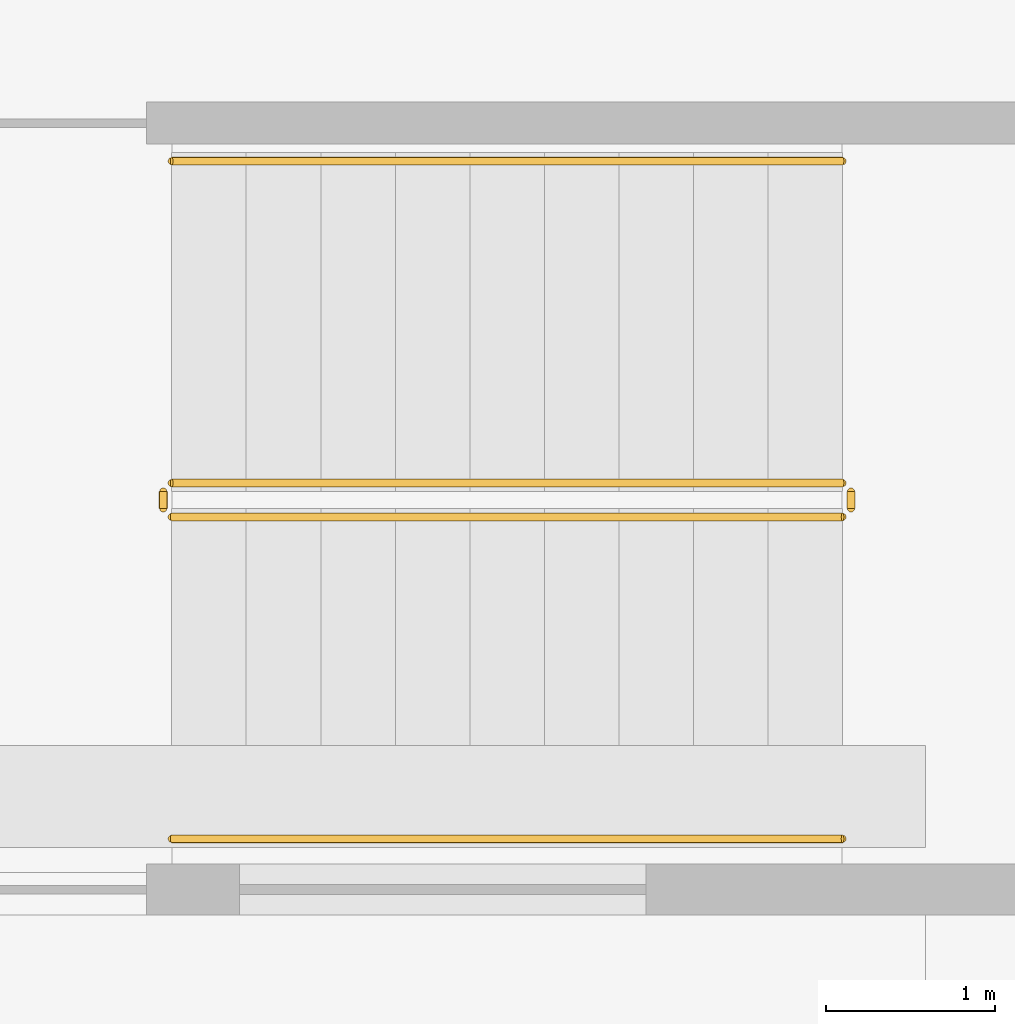
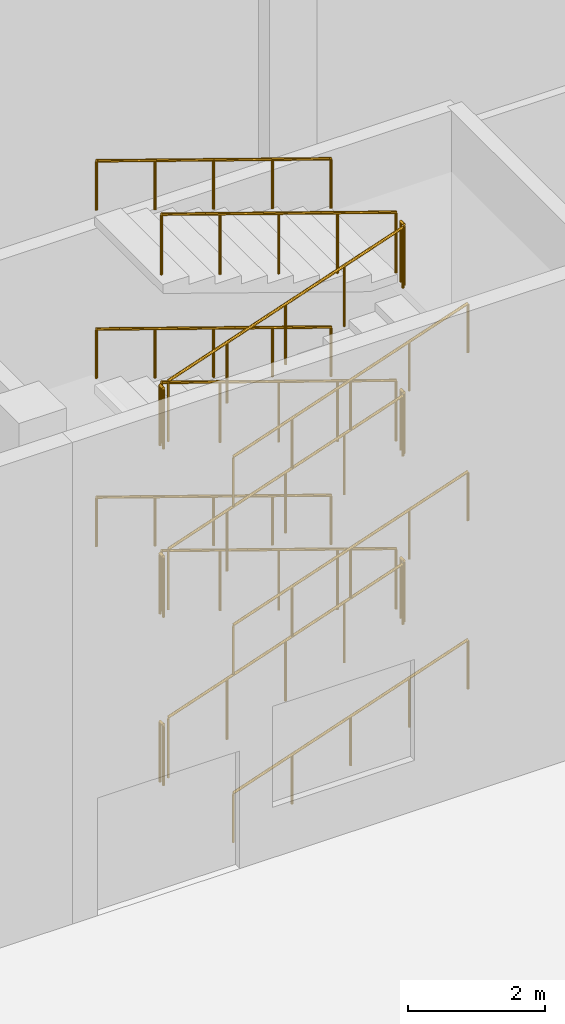
# One storey, part 53 of 63: 18 railings.
"""IFC4 building model written with IfcOpenShell, lengths in metres."""

import ifcopenshell
import ifcopenshell.guid

model = None  # the IFC model being written
_history = None  # IfcOwnerHistory: only IFC2X3 demands one
_inside = {}  # id of a spatial element -> (the spatial element, [elements in it])
_under = {}  # id of a project, library or spatial element -> (it, [spatial elements below it])
_declared = {}  # id of a project -> (the project, [libraries it declares])
_typed = {}  # id of a type object -> (the type object, [elements of that type])
_made_of = {}  # id of a material, layer set ... -> (it, [elements and type objects made of it])


def new_model(schema):
    """Start an empty IFC model of exactly this schema.

    Asked for "IFC4X3", IfcOpenShell would pick the latest addendum, in which some entities
    have other attributes; the version numbers below select the first issue.
    IFC2X3 requires an IfcOwnerHistory on every rooted entity: one is made here for all.
    """
    global model, _history
    if schema == "IFC4X3":
        model = ifcopenshell.file(schema_version=(4, 3, 0, 0))
    else:
        model = ifcopenshell.file(schema=schema)
    _inside.clear()
    _under.clear()
    _declared.clear()
    _typed.clear()
    _made_of.clear()
    _history = None
    if model.schema == "IFC2X3":
        org = make("IfcOrganization", Name="unknown")
        user = make(
            "IfcPersonAndOrganization",
            ThePerson=make("IfcPerson", FamilyName="unknown"),
            TheOrganization=org,
        )
        app = make(
            "IfcApplication",
            ApplicationDeveloper=org,
            Version="unknown",
            ApplicationFullName="unknown",
            ApplicationIdentifier="unknown",
        )
        _history = make(
            "IfcOwnerHistory",
            OwningUser=user,
            OwningApplication=app,
            ChangeAction="ADDED",
            CreationDate=0,
        )
    return model


def make(cls, **values):
    """One entity of the class cls with the attributes given. An attribute that is None is left unset."""
    return model.create_entity(
        cls, **{name: value for name, value in values.items() if value is not None}
    )


def rooted(cls, **values):
    """An entity with a GlobalId (a new one), such as an element, a storey or a relation."""
    return make(cls, GlobalId=ifcopenshell.guid.new(), OwnerHistory=_history, **values)


def si_unit(unit_type, name, prefix=None):
    """IfcSIUnit, for example si_unit("LENGTHUNIT", "METRE", prefix="MILLI")."""
    return make("IfcSIUnit", UnitType=unit_type, Prefix=prefix, Name=name)


def assignment(units):
    """IfcUnitAssignment: the units of a project."""
    return None if units is None else make("IfcUnitAssignment", Units=units)


def point(xyz):
    """IfcCartesianPoint."""
    return None if xyz is None else make("IfcCartesianPoint", Coordinates=xyz)


def direction(xyz):
    """IfcDirection."""
    return None if xyz is None else make("IfcDirection", DirectionRatios=xyz)


def frame(location, z_axis=None, x_axis=None):
    """IfcAxis2Placement3D, a coordinate frame: its origin and axes. An axis left out is left unset."""
    return make(
        "IfcAxis2Placement3D",
        Location=point(location),
        Axis=direction(z_axis),
        RefDirection=direction(x_axis),
    )


def frame_2d(location, x_axis=None):
    """IfcAxis2Placement2D, a coordinate frame in the plane: its origin and x axis."""
    return make(
        "IfcAxis2Placement2D", Location=point(location), RefDirection=direction(x_axis)
    )


def origin():
    """The frame at (0, 0, 0) with its axes left unset."""
    return frame((0.0, 0.0, 0.0))


def origin_2d():
    """The frame at (0, 0) in the plane with its x axis left unset."""
    return frame_2d((0.0, 0.0))


def place(relative_to, where):
    """IfcLocalPlacement: puts the frame where relative to a parent placement (None: the world)."""
    return make(
        "IfcLocalPlacement", PlacementRelTo=relative_to, RelativePlacement=where
    )


def context(
    kind, dimensions, precision=None, world=None, true_north=None, identifier=None
):
    """IfcGeometricRepresentationContext, for example the 3D "Model" context."""
    return make(
        "IfcGeometricRepresentationContext",
        ContextIdentifier=identifier,
        ContextType=kind,
        CoordinateSpaceDimension=dimensions,
        Precision=precision,
        WorldCoordinateSystem=world,
        TrueNorth=true_north,
    )


def subcontext(parent, identifier, kind, view, scale=None):
    """IfcGeometricRepresentationSubContext, for example "Body" below "Model"."""
    return make(
        "IfcGeometricRepresentationSubContext",
        ContextIdentifier=identifier,
        ContextType=kind,
        ParentContext=parent,
        TargetScale=scale,
        TargetView=view,
    )


def project(units=None, contexts=None):
    """IfcProject with its units and contexts."""
    return rooted(
        "IfcProject",
        Name="project",
        RepresentationContexts=contexts,
        UnitsInContext=assignment(units),
    )


def spatial(cls, under=None, at=None, **own):
    """A site, building, storey or space (cls), placed at a placement, below another one or the project."""
    s = rooted(cls, ObjectPlacement=at, **own)
    if under is not None:
        _under.setdefault(under.id(), (under, []))[1].append(s)
    return s


def profile(cls, at=None, kind="AREA", **sizes):
    """A parametric profile (cls). Its sizes go by their IFC names, for example OverallWidth=200.0."""
    return make(cls, ProfileType=kind, Position=at, **sizes)


def circle(**sizes):
    """IfcCircleProfileDef."""
    return profile("IfcCircleProfileDef", **sizes)


def extrude(swept, where, along, depth):
    """IfcExtrudedAreaSolid: the profile swept, set in the frame where, extruded along a direction by depth."""
    return make(
        "IfcExtrudedAreaSolid",
        SweptArea=swept,
        Position=where,
        ExtrudedDirection=direction(along),
        Depth=depth,
    )


def shape(context_of_items, identifier, shape_type, items):
    """IfcShapeRepresentation: the items that make up one representation, for example the "Body"."""
    return make(
        "IfcShapeRepresentation",
        ContextOfItems=context_of_items,
        RepresentationIdentifier=identifier,
        RepresentationType=shape_type,
        Items=items,
    )


def material(Name=None, Category=None):
    """IfcMaterial."""
    return make("IfcMaterial", Name=Name, Category=Category)


def made_of(thing, what):
    """Note that an element or type object is made of a material, layer set ...; save() writes the relation."""
    if what is not None:
        _made_of.setdefault(what.id(), (what, []))[1].append(thing)
    return thing


def type_object(cls, material=None, **own):
    """A type object (cls), such as IfcWallType, which elements share."""
    return made_of(rooted(cls, **own), material)


def element(
    cls,
    number,
    at=None,
    inside=None,
    cuts=None,
    type_object=None,
    material=None,
    context=None,
    identifier="Body",
    shape_type=None,
    held_by="IfcProductDefinitionShape",
    body=None,
    shapes=None,
    **own,
):
    """One element of the class cls, such as IfcWall. Its Tag is "e" and its number.

    at: its placement. inside: the storey or other place that contains it. cuts: it is an
    opening in that element (IfcRelVoidsElement). A single representation is given by context,
    identifier, shape_type and body (its items); several are given by shapes. held_by: the class
    of the entity that holds the representations. save() writes the other relations.
    """
    e = rooted(cls, Tag="e%d" % number, ObjectPlacement=at, **own)
    if body is not None:
        shapes = [shape(context, identifier, shape_type, body)]
    if shapes is not None:
        e.Representation = make(held_by, Representations=shapes)
    if inside is not None:
        _inside.setdefault(inside.id(), (inside, []))[1].append(e)
    if cuts is not None:
        rooted(
            "IfcRelVoidsElement", RelatingBuildingElement=cuts, RelatedOpeningElement=e
        )
    if type_object is not None:
        _typed.setdefault(type_object.id(), (type_object, []))[1].append(e)
    return made_of(e, material)


def aggregate(whole, parts):
    """IfcRelAggregates: a whole, such as a stair, and the parts it consists of."""
    return rooted("IfcRelAggregates", RelatingObject=whole, RelatedObjects=parts)


def save(model, path):
    """Write the relations noted so far, then the file.

    IfcRelAggregates (storeys below a building ...), IfcRelContainedInSpatialStructure (elements
    in a storey), IfcRelDefinesByType, IfcRelAssociatesMaterial and IfcRelDeclares: one each for
    every whole, place, type object, material and project.
    """
    for whole, parts in _under.values():
        aggregate(whole, parts)
    for where, things in _inside.values():
        rooted(
            "IfcRelContainedInSpatialStructure",
            RelatedElements=things,
            RelatingStructure=where,
        )
    for kind, things in _typed.values():
        rooted("IfcRelDefinesByType", RelatedObjects=things, RelatingType=kind)
    for what, things in _made_of.values():
        rooted("IfcRelAssociatesMaterial", RelatedObjects=things, RelatingMaterial=what)
    for by, libraries in _declared.values():
        rooted("IfcRelDeclares", RelatingContext=by, RelatedDefinitions=libraries)
    model.write(path)


model = new_model("IFC4")

# Units and contexts
model_context = context("Model", 3, precision=1e-05, world=origin(), true_north=direction((0.0, 1.0)))
body_context = subcontext(model_context, "Body", "Model", "MODEL_VIEW")
ifc_project = project(units=[si_unit("LENGTHUNIT", "METRE"), si_unit("AREAUNIT", "SQUARE_METRE"), si_unit("VOLUMEUNIT", "CUBIC_METRE"), si_unit("PLANEANGLEUNIT", "RADIAN"), si_unit("MASSUNIT", "GRAM", prefix="KILO")], contexts=[model_context])

# Site, building, storey
site_placement = place(None, origin())
site = spatial("IfcSite", under=ifc_project, at=site_placement, CompositionType="ELEMENT")
building_placement = place(site_placement, origin())
building = spatial("IfcBuilding", under=site, at=building_placement, Name="Jabali Bay Hotel Tower and Convention Centre", CompositionType="ELEMENT")
storey_placement = place(building_placement, origin())
storey = spatial("IfcBuildingStorey", under=building, at=storey_placement, Name="L00", CompositionType="ELEMENT", Elevation=0.0)

# Railings
ifc_material = material(Name="Stainless steel 304", Category="steel")
railing_type_1 = type_object("IfcRailingType", Name="CC Stair Guard 1100", PredefinedType="GUARDRAIL", material=ifc_material)
railing_1_placement = place(storey_placement, frame((164.0, 51.64990234375, 0.14990234375)))
element("IfcRailing", 1, at=railing_1_placement, inside=storey, type_object=railing_type_1, Name="L00 CC-STS1 stair guard 1", PredefinedType="GUARDRAIL", context=body_context, shape_type="SweptSolid", body=[
    extrude(circle(Radius=0.02392578125, at=origin_2d()), frame((0.0, 0.0, 1.076171875), z_axis=(0.946502086907, 0.0, 0.322697690542), x_axis=(0.0, 1.0, 0.0)), (0.0, 0.0, 1.0), 4.183837890625),
    extrude(circle(Radius=0.02099609375, at=origin_2d()), origin(), (0.0, 0.0, 1.0), 1.052001953125),
    extrude(circle(Radius=0.02099609375, at=origin_2d()), frame((0.989990234375, 0.0, 0.33740234375)), (0.0, 0.0, 1.0), 1.052001953125),
    extrude(circle(Radius=0.02099609375, at=origin_2d()), frame((1.97998046875, 0.0, 0.675048828125)), (0.0, 0.0, 1.0), 1.052001953125),
    extrude(circle(Radius=0.02099609375, at=origin_2d()), frame((2.969970703125, 0.0, 1.0126953125)), (0.0, 0.0, 1.0), 1.052001953125),
    extrude(circle(Radius=0.02099609375, at=origin_2d()), frame((3.9599609375, 0.0, 1.35009765625)), (0.0, 0.0, 1.0), 1.052001953125),
])
railing_2_placement = place(storey_placement, frame((168.010009765625, 51.699951171875, 1.5)))
element("IfcRailing", 2, at=railing_2_placement, inside=storey, type_object=railing_type_1, Name="L00 CC-STS1 stair guard 2", PredefinedType="GUARDRAIL", context=body_context, shape_type="SweptSolid", body=[
    extrude(circle(Radius=0.02392578125, at=origin_2d()), frame((0.0, 0.0, 1.076171875), z_axis=(0.0, 1.0, 0.0), x_axis=(-1.0, 0.0, 0.0)), (0.0, 0.0, 1.0), 0.10009765625),
    extrude(circle(Radius=0.02099609375, at=origin_2d()), origin(), (0.0, 0.0, 1.0), 1.052001953125),
    extrude(circle(Radius=0.02099609375, at=origin_2d()), frame((0.0, 0.10009765625, 0.0)), (0.0, 0.0, 1.0), 1.052001953125),
])
railing_3_placement = place(storey_placement, frame((167.9599609375, 51.85009765625, 1.64990234375)))
element("IfcRailing", 3, at=railing_3_placement, inside=storey, type_object=railing_type_1, Name="L00 CC-STS1 stair guard 3", PredefinedType="GUARDRAIL", context=body_context, shape_type="SweptSolid", body=[
    extrude(circle(Radius=0.02392578125, at=origin_2d()), frame((0.0, 0.0, 1.076171875), z_axis=(-0.946502086907, 0.0, 0.322697690542), x_axis=(0.0, -1.0, 0.0)), (0.0, 0.0, 1.0), 4.183837890625),
    extrude(circle(Radius=0.02099609375, at=origin_2d()), origin(), (0.0, 0.0, 1.0), 1.052001953125),
    extrude(circle(Radius=0.02099609375, at=origin_2d()), frame((-0.989990234375, 0.0, 0.33740234375)), (0.0, 0.0, 1.0), 1.052001953125),
    extrude(circle(Radius=0.02099609375, at=origin_2d()), frame((-1.97998046875, 0.0, 0.675048828125)), (0.0, 0.0, 1.0), 1.052001953125),
    extrude(circle(Radius=0.02099609375, at=origin_2d()), frame((-2.969970703125, 0.0, 1.0126953125)), (0.0, 0.0, 1.0), 1.052001953125),
    extrude(circle(Radius=0.02099609375, at=origin_2d()), frame((-3.9599609375, 0.0, 1.35009765625)), (0.0, 0.0, 1.0), 1.052001953125),
])
railing_4_placement = place(storey_placement, frame((163.949951171875, 51.699951171875, 3.0)))
element("IfcRailing", 4, at=railing_4_placement, inside=storey, type_object=railing_type_1, Name="L00 CC-STS1 stair guard 4", PredefinedType="GUARDRAIL", context=body_context, shape_type="SweptSolid", body=[
    extrude(circle(Radius=0.02392578125, at=origin_2d()), frame((0.0, 0.0, 1.076171875), z_axis=(0.0, 1.0, 0.0), x_axis=(-1.0, 0.0, 0.0)), (0.0, 0.0, 1.0), 0.10009765625),
    extrude(circle(Radius=0.02099609375, at=origin_2d()), origin(), (0.0, 0.0, 1.0), 1.052001953125),
    extrude(circle(Radius=0.02099609375, at=origin_2d()), frame((0.0, 0.10009765625, 0.0)), (0.0, 0.0, 1.0), 1.052001953125),
])
railing_5_placement = place(storey_placement, frame((164.0, 51.64990234375, 3.14990234375)))
element("IfcRailing", 5, at=railing_5_placement, inside=storey, type_object=railing_type_1, Name="L00 CC-STS1 stair guard 5", PredefinedType="GUARDRAIL", context=body_context, shape_type="SweptSolid", body=[
    extrude(circle(Radius=0.02392578125, at=origin_2d()), frame((0.0, 0.0, 1.076171875), z_axis=(0.946502086907, 0.0, 0.322697690542), x_axis=(0.0, 1.0, 0.0)), (0.0, 0.0, 1.0), 4.183837890625),
    extrude(circle(Radius=0.02099609375, at=origin_2d()), origin(), (0.0, 0.0, 1.0), 1.052001953125),
    extrude(circle(Radius=0.02099609375, at=origin_2d()), frame((0.989990234375, 0.0, 0.33740234375)), (0.0, 0.0, 1.0), 1.052001953125),
    extrude(circle(Radius=0.02099609375, at=origin_2d()), frame((1.97998046875, 0.0, 0.675048828125)), (0.0, 0.0, 1.0), 1.052001953125),
    extrude(circle(Radius=0.02099609375, at=origin_2d()), frame((2.969970703125, 0.0, 1.0126953125)), (0.0, 0.0, 1.0), 1.052001953125),
    extrude(circle(Radius=0.02099609375, at=origin_2d()), frame((3.9599609375, 0.0, 1.35009765625)), (0.0, 0.0, 1.0), 1.052001953125),
])
railing_6_placement = place(storey_placement, frame((168.010009765625, 51.699951171875, 4.5)))
element("IfcRailing", 6, at=railing_6_placement, inside=storey, type_object=railing_type_1, Name="L00 CC-STS1 stair guard 6", PredefinedType="GUARDRAIL", context=body_context, shape_type="SweptSolid", body=[
    extrude(circle(Radius=0.02392578125, at=origin_2d()), frame((0.0, 0.0, 1.076171875), z_axis=(0.0, 1.0, 0.0), x_axis=(-1.0, 0.0, 0.0)), (0.0, 0.0, 1.0), 0.10009765625),
    extrude(circle(Radius=0.02099609375, at=origin_2d()), origin(), (0.0, 0.0, 1.0), 1.052001953125),
    extrude(circle(Radius=0.02099609375, at=origin_2d()), frame((0.0, 0.10009765625, 0.0)), (0.0, 0.0, 1.0), 1.052001953125),
])
railing_7_placement = place(storey_placement, frame((167.9599609375, 51.85009765625, 4.64990234375)))
element("IfcRailing", 7, at=railing_7_placement, inside=storey, type_object=railing_type_1, Name="L00 CC-STS1 stair guard 7", PredefinedType="GUARDRAIL", context=body_context, shape_type="SweptSolid", body=[
    extrude(circle(Radius=0.02392578125, at=origin_2d()), frame((0.0, 0.0, 1.076171875), z_axis=(-0.946502086907, 0.0, 0.322697690542), x_axis=(0.0, -1.0, 0.0)), (0.0, 0.0, 1.0), 4.183837890625),
    extrude(circle(Radius=0.02099609375, at=origin_2d()), origin(), (0.0, 0.0, 1.0), 1.052001953125),
    extrude(circle(Radius=0.02099609375, at=origin_2d()), frame((-0.989990234375, 0.0, 0.33740234375)), (0.0, 0.0, 1.0), 1.052001953125),
    extrude(circle(Radius=0.02099609375, at=origin_2d()), frame((-1.97998046875, 0.0, 0.675048828125)), (0.0, 0.0, 1.0), 1.052001953125),
    extrude(circle(Radius=0.02099609375, at=origin_2d()), frame((-2.969970703125, 0.0, 1.0126953125)), (0.0, 0.0, 1.0), 1.052001953125),
    extrude(circle(Radius=0.02099609375, at=origin_2d()), frame((-3.9599609375, 0.0, 1.35009765625)), (0.0, 0.0, 1.0), 1.052001953125),
])
railing_8_placement = place(storey_placement, frame((163.949951171875, 51.699951171875, 6.0)))
element("IfcRailing", 8, at=railing_8_placement, inside=storey, type_object=railing_type_1, Name="L00 CC-STS1 stair guard 8", PredefinedType="GUARDRAIL", context=body_context, shape_type="SweptSolid", body=[
    extrude(circle(Radius=0.02392578125, at=origin_2d()), frame((0.0, 0.0, 1.076171875), z_axis=(0.0, 1.0, 0.0), x_axis=(-1.0, 0.0, 0.0)), (0.0, 0.0, 1.0), 0.10009765625),
    extrude(circle(Radius=0.02099609375, at=origin_2d()), origin(), (0.0, 0.0, 1.0), 1.052001953125),
    extrude(circle(Radius=0.02099609375, at=origin_2d()), frame((0.0, 0.10009765625, 0.0)), (0.0, 0.0, 1.0), 1.052001953125),
])
railing_9_placement = place(storey_placement, frame((164.0, 51.64990234375, 6.14990234375)))
element("IfcRailing", 9, at=railing_9_placement, inside=storey, type_object=railing_type_1, Name="L00 CC-STS1 stair guard 9", PredefinedType="GUARDRAIL", context=body_context, shape_type="SweptSolid", body=[
    extrude(circle(Radius=0.02392578125, at=origin_2d()), frame((0.0, 0.0, 1.076171875), z_axis=(0.946502086907, 0.0, 0.322697690542), x_axis=(0.0, 1.0, 0.0)), (0.0, 0.0, 1.0), 4.183837890625),
    extrude(circle(Radius=0.02099609375, at=origin_2d()), origin(), (0.0, 0.0, 1.0), 1.052001953125),
    extrude(circle(Radius=0.02099609375, at=origin_2d()), frame((0.989990234375, 0.0, 0.33740234375)), (0.0, 0.0, 1.0), 1.052001953125),
    extrude(circle(Radius=0.02099609375, at=origin_2d()), frame((1.97998046875, 0.0, 0.675048828125)), (0.0, 0.0, 1.0), 1.052001953125),
    extrude(circle(Radius=0.02099609375, at=origin_2d()), frame((2.969970703125, 0.0, 1.0126953125)), (0.0, 0.0, 1.0), 1.052001953125),
    extrude(circle(Radius=0.02099609375, at=origin_2d()), frame((3.9599609375, 0.0, 1.35009765625)), (0.0, 0.0, 1.0), 1.052001953125),
])
railing_10_placement = place(storey_placement, frame((168.010009765625, 51.699951171875, 7.5)))
element("IfcRailing", 10, at=railing_10_placement, inside=storey, type_object=railing_type_1, Name="L00 CC-STS1 stair guard 10", PredefinedType="GUARDRAIL", context=body_context, shape_type="SweptSolid", body=[
    extrude(circle(Radius=0.02392578125, at=origin_2d()), frame((0.0, 0.0, 1.076171875), z_axis=(0.0, 1.0, 0.0), x_axis=(-1.0, 0.0, 0.0)), (0.0, 0.0, 1.0), 0.10009765625),
    extrude(circle(Radius=0.02099609375, at=origin_2d()), origin(), (0.0, 0.0, 1.0), 1.052001953125),
    extrude(circle(Radius=0.02099609375, at=origin_2d()), frame((0.0, 0.10009765625, 0.0)), (0.0, 0.0, 1.0), 1.052001953125),
])
railing_11_placement = place(storey_placement, frame((167.9599609375, 51.85009765625, 7.64990234375)))
element("IfcRailing", 11, at=railing_11_placement, inside=storey, type_object=railing_type_1, Name="L00 CC-STS1 stair guard 11", PredefinedType="GUARDRAIL", context=body_context, shape_type="SweptSolid", body=[
    extrude(circle(Radius=0.02392578125, at=origin_2d()), frame((0.0, 0.0, 1.076171875), z_axis=(-0.946502086907, 0.0, 0.322697690542), x_axis=(0.0, -1.0, 0.0)), (0.0, 0.0, 1.0), 4.183837890625),
    extrude(circle(Radius=0.02099609375, at=origin_2d()), origin(), (0.0, 0.0, 1.0), 1.052001953125),
    extrude(circle(Radius=0.02099609375, at=origin_2d()), frame((-0.989990234375, 0.0, 0.33740234375)), (0.0, 0.0, 1.0), 1.052001953125),
    extrude(circle(Radius=0.02099609375, at=origin_2d()), frame((-1.97998046875, 0.0, 0.675048828125)), (0.0, 0.0, 1.0), 1.052001953125),
    extrude(circle(Radius=0.02099609375, at=origin_2d()), frame((-2.969970703125, 0.0, 1.0126953125)), (0.0, 0.0, 1.0), 1.052001953125),
    extrude(circle(Radius=0.02099609375, at=origin_2d()), frame((-3.9599609375, 0.0, 1.35009765625)), (0.0, 0.0, 1.0), 1.052001953125),
])
railing_12_placement = place(storey_placement, frame((163.949951171875, 51.699951171875, 0.0)))
element("IfcRailing", 12, at=railing_12_placement, inside=storey, type_object=railing_type_1, Name="L00 CC-STS1 stair guard 12", PredefinedType="GUARDRAIL", context=body_context, shape_type="SweptSolid", body=[
    extrude(circle(Radius=0.02392578125, at=origin_2d()), frame((0.0, 0.0, 1.076171875), z_axis=(0.0, 1.0, 0.0), x_axis=(-1.0, 0.0, 0.0)), (0.0, 0.0, 1.0), 0.10009765625),
    extrude(circle(Radius=0.02099609375, at=origin_2d()), origin(), (0.0, 0.0, 1.0), 1.052001953125),
    extrude(circle(Radius=0.02099609375, at=origin_2d()), frame((0.0, 0.10009765625, 0.0)), (0.0, 0.0, 1.0), 1.052001953125),
])
railing_type_2 = type_object("IfcRailingType", Name="CC Stair Handrail 900", PredefinedType="HANDRAIL", material=ifc_material)
railing_13_placement = place(storey_placement, frame((164.0, 49.75, 0.14990234375)))
element("IfcRailing", 13, at=railing_13_placement, inside=storey, type_object=railing_type_2, Name="L00 CC-STS1 stair handrail 1", PredefinedType="HANDRAIL", context=body_context, shape_type="SweptSolid", body=[
    extrude(circle(Radius=0.02392578125, at=origin_2d()), frame((0.0, 0.0, 0.8759765625), z_axis=(0.946502086907, 0.0, 0.322697690542), x_axis=(0.0, 1.0, 0.0)), (0.0, 0.0, 1.0), 4.183837890625),
    extrude(circle(Radius=0.02099609375, at=origin_2d()), origin(), (0.0, 0.0, 1.0), 0.851806640625),
    extrude(circle(Radius=0.02099609375, at=origin_2d()), frame((0.989990234375, 0.0, 0.33740234375)), (0.0, 0.0, 1.0), 0.851806640625),
    extrude(circle(Radius=0.02099609375, at=origin_2d()), frame((1.97998046875, 0.0, 0.675048828125)), (0.0, 0.0, 1.0), 0.851806640625),
    extrude(circle(Radius=0.02099609375, at=origin_2d()), frame((2.969970703125, 0.0, 1.0126953125)), (0.0, 0.0, 1.0), 0.851806640625),
    extrude(circle(Radius=0.02099609375, at=origin_2d()), frame((3.9599609375, 0.0, 1.35009765625)), (0.0, 0.0, 1.0), 0.851806640625),
])
railing_14_placement = place(storey_placement, frame((167.9599609375, 53.75, 1.64990234375)))
element("IfcRailing", 14, at=railing_14_placement, inside=storey, type_object=railing_type_2, Name="L00 CC-STS1 stair handrail 2", PredefinedType="HANDRAIL", context=body_context, shape_type="SweptSolid", body=[
    extrude(circle(Radius=0.02392578125, at=origin_2d()), frame((0.0, 0.0, 0.8759765625), z_axis=(-0.946502086907, 0.0, 0.322697690542), x_axis=(0.0, -1.0, 0.0)), (0.0, 0.0, 1.0), 4.183837890625),
    extrude(circle(Radius=0.02099609375, at=origin_2d()), origin(), (0.0, 0.0, 1.0), 0.851806640625),
    extrude(circle(Radius=0.02099609375, at=origin_2d()), frame((-0.989990234375, 0.0, 0.33740234375)), (0.0, 0.0, 1.0), 0.851806640625),
    extrude(circle(Radius=0.02099609375, at=origin_2d()), frame((-1.97998046875, 0.0, 0.675048828125)), (0.0, 0.0, 1.0), 0.851806640625),
    extrude(circle(Radius=0.02099609375, at=origin_2d()), frame((-2.969970703125, 0.0, 1.0126953125)), (0.0, 0.0, 1.0), 0.851806640625),
    extrude(circle(Radius=0.02099609375, at=origin_2d()), frame((-3.9599609375, 0.0, 1.35009765625)), (0.0, 0.0, 1.0), 0.851806640625),
])
railing_15_placement = place(storey_placement, frame((164.0, 49.75, 3.14990234375)))
element("IfcRailing", 15, at=railing_15_placement, inside=storey, type_object=railing_type_2, Name="L00 CC-STS1 stair handrail 3", PredefinedType="HANDRAIL", context=body_context, shape_type="SweptSolid", body=[
    extrude(circle(Radius=0.02392578125, at=origin_2d()), frame((0.0, 0.0, 0.8759765625), z_axis=(0.946502086907, 0.0, 0.322697690542), x_axis=(0.0, 1.0, 0.0)), (0.0, 0.0, 1.0), 4.183837890625),
    extrude(circle(Radius=0.02099609375, at=origin_2d()), origin(), (0.0, 0.0, 1.0), 0.851806640625),
    extrude(circle(Radius=0.02099609375, at=origin_2d()), frame((0.989990234375, 0.0, 0.33740234375)), (0.0, 0.0, 1.0), 0.851806640625),
    extrude(circle(Radius=0.02099609375, at=origin_2d()), frame((1.97998046875, 0.0, 0.675048828125)), (0.0, 0.0, 1.0), 0.851806640625),
    extrude(circle(Radius=0.02099609375, at=origin_2d()), frame((2.969970703125, 0.0, 1.0126953125)), (0.0, 0.0, 1.0), 0.851806640625),
    extrude(circle(Radius=0.02099609375, at=origin_2d()), frame((3.9599609375, 0.0, 1.35009765625)), (0.0, 0.0, 1.0), 0.851806640625),
])
railing_16_placement = place(storey_placement, frame((167.9599609375, 53.75, 4.64990234375)))
element("IfcRailing", 16, at=railing_16_placement, inside=storey, type_object=railing_type_2, Name="L00 CC-STS1 stair handrail 4", PredefinedType="HANDRAIL", context=body_context, shape_type="SweptSolid", body=[
    extrude(circle(Radius=0.02392578125, at=origin_2d()), frame((0.0, 0.0, 0.8759765625), z_axis=(-0.946502086907, 0.0, 0.322697690542), x_axis=(0.0, -1.0, 0.0)), (0.0, 0.0, 1.0), 4.183837890625),
    extrude(circle(Radius=0.02099609375, at=origin_2d()), origin(), (0.0, 0.0, 1.0), 0.851806640625),
    extrude(circle(Radius=0.02099609375, at=origin_2d()), frame((-0.989990234375, 0.0, 0.33740234375)), (0.0, 0.0, 1.0), 0.851806640625),
    extrude(circle(Radius=0.02099609375, at=origin_2d()), frame((-1.97998046875, 0.0, 0.675048828125)), (0.0, 0.0, 1.0), 0.851806640625),
    extrude(circle(Radius=0.02099609375, at=origin_2d()), frame((-2.969970703125, 0.0, 1.0126953125)), (0.0, 0.0, 1.0), 0.851806640625),
    extrude(circle(Radius=0.02099609375, at=origin_2d()), frame((-3.9599609375, 0.0, 1.35009765625)), (0.0, 0.0, 1.0), 0.851806640625),
])
railing_17_placement = place(storey_placement, frame((164.0, 49.75, 6.14990234375)))
element("IfcRailing", 17, at=railing_17_placement, inside=storey, type_object=railing_type_2, Name="L00 CC-STS1 stair handrail 5", PredefinedType="HANDRAIL", context=body_context, shape_type="SweptSolid", body=[
    extrude(circle(Radius=0.02392578125, at=origin_2d()), frame((0.0, 0.0, 0.8759765625), z_axis=(0.946502086907, 0.0, 0.322697690542), x_axis=(0.0, 1.0, 0.0)), (0.0, 0.0, 1.0), 4.183837890625),
    extrude(circle(Radius=0.02099609375, at=origin_2d()), origin(), (0.0, 0.0, 1.0), 0.851806640625),
    extrude(circle(Radius=0.02099609375, at=origin_2d()), frame((0.989990234375, 0.0, 0.33740234375)), (0.0, 0.0, 1.0), 0.851806640625),
    extrude(circle(Radius=0.02099609375, at=origin_2d()), frame((1.97998046875, 0.0, 0.675048828125)), (0.0, 0.0, 1.0), 0.851806640625),
    extrude(circle(Radius=0.02099609375, at=origin_2d()), frame((2.969970703125, 0.0, 1.0126953125)), (0.0, 0.0, 1.0), 0.851806640625),
    extrude(circle(Radius=0.02099609375, at=origin_2d()), frame((3.9599609375, 0.0, 1.35009765625)), (0.0, 0.0, 1.0), 0.851806640625),
])
railing_18_placement = place(storey_placement, frame((167.9599609375, 53.75, 7.64990234375)))
element("IfcRailing", 18, at=railing_18_placement, inside=storey, type_object=railing_type_2, Name="L00 CC-STS1 stair handrail 6", PredefinedType="HANDRAIL", context=body_context, shape_type="SweptSolid", body=[
    extrude(circle(Radius=0.02392578125, at=origin_2d()), frame((0.0, 0.0, 0.8759765625), z_axis=(-0.946502086907, 0.0, 0.322697690542), x_axis=(0.0, -1.0, 0.0)), (0.0, 0.0, 1.0), 4.183837890625),
    extrude(circle(Radius=0.02099609375, at=origin_2d()), origin(), (0.0, 0.0, 1.0), 0.851806640625),
    extrude(circle(Radius=0.02099609375, at=origin_2d()), frame((-0.989990234375, 0.0, 0.33740234375)), (0.0, 0.0, 1.0), 0.851806640625),
    extrude(circle(Radius=0.02099609375, at=origin_2d()), frame((-1.97998046875, 0.0, 0.675048828125)), (0.0, 0.0, 1.0), 0.851806640625),
    extrude(circle(Radius=0.02099609375, at=origin_2d()), frame((-2.969970703125, 0.0, 1.0126953125)), (0.0, 0.0, 1.0), 0.851806640625),
    extrude(circle(Radius=0.02099609375, at=origin_2d()), frame((-3.9599609375, 0.0, 1.35009765625)), (0.0, 0.0, 1.0), 0.851806640625),
])

save(model, "model.ifc")
